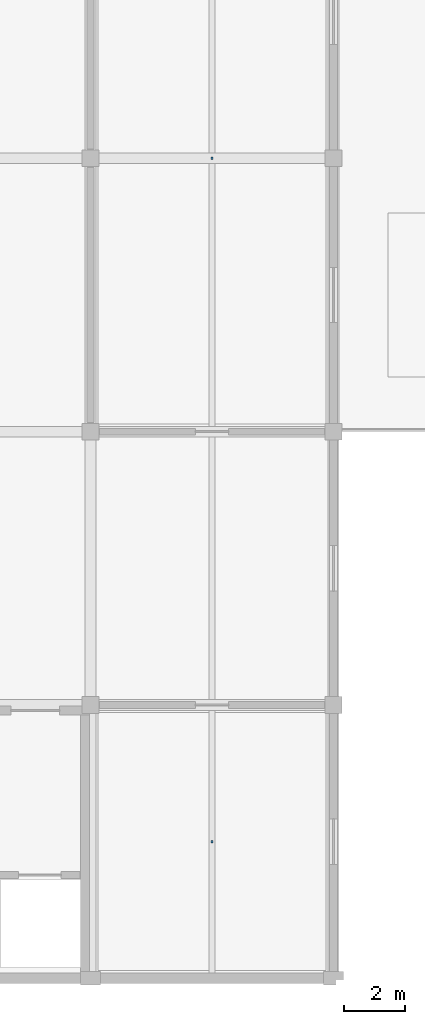
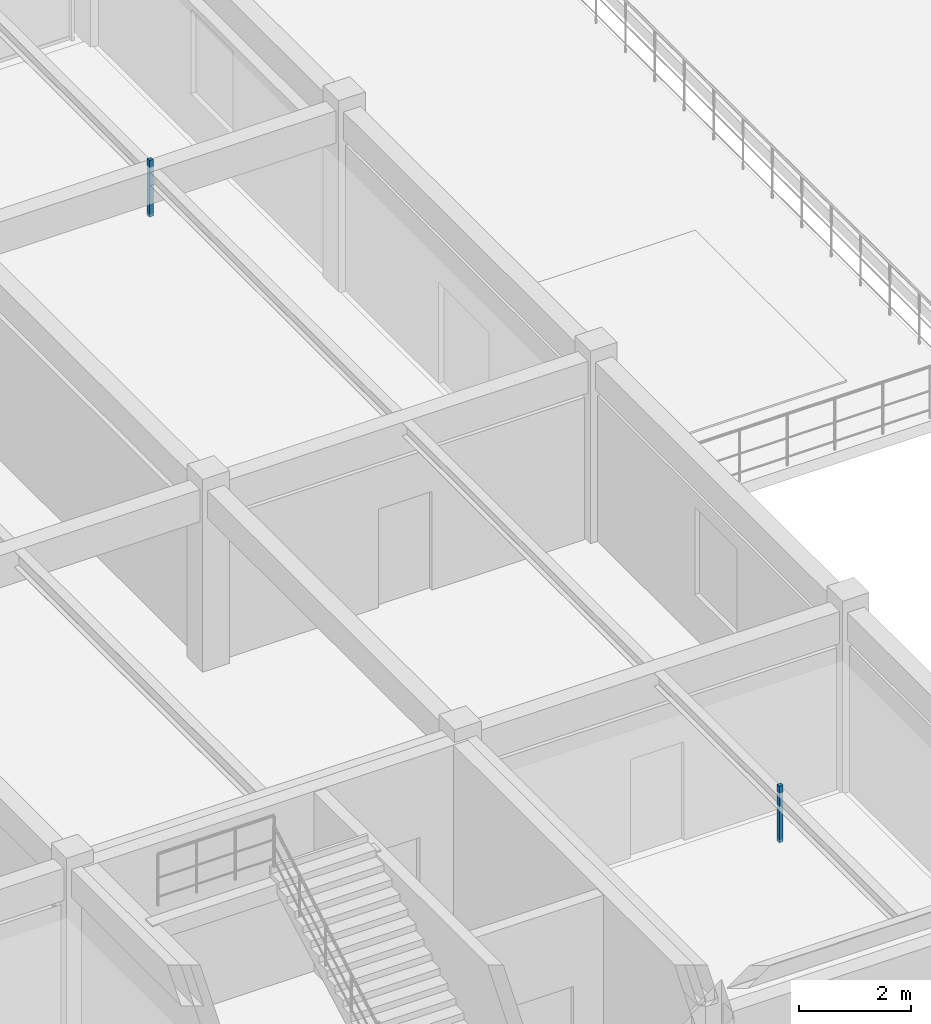
# One storey, part 58 of 63: 2 discrete accessories.
"""IFC4 building model written with IfcOpenShell, lengths in metres."""

from ifc_helpers import new_model, si_unit, direction, frame, origin, origin_2d, place, context, subcontext, project, spatial, rectangle, extrude, material, layer, layer_set, type_object, element, save


model = new_model("IFC4")

# Units and contexts
model_context = context("Model", 3, precision=1e-05, world=origin(), true_north=direction((0.0, 1.0)))
body_context = subcontext(model_context, "Body", "Model", "MODEL_VIEW")
ifc_project = project(units=[si_unit("LENGTHUNIT", "METRE"), si_unit("AREAUNIT", "SQUARE_METRE"), si_unit("VOLUMEUNIT", "CUBIC_METRE"), si_unit("PLANEANGLEUNIT", "RADIAN"), si_unit("MASSUNIT", "GRAM", prefix="KILO")], contexts=[model_context])

# Site, building, storey
site_placement = place(None, origin())
site = spatial("IfcSite", under=ifc_project, at=site_placement, CompositionType="ELEMENT")
building_placement = place(site_placement, origin())
building = spatial("IfcBuilding", under=site, at=building_placement, Name="Varnabhumi Central Station", CompositionType="ELEMENT")
storey_placement = place(building_placement, frame((0.0, 0.0, 20.39990234375)))
storey = spatial("IfcBuildingStorey", under=building, at=storey_placement, Name="L04", CompositionType="ELEMENT", Elevation=20.39990234375)

# Discrete accessories
ifc_material = material(Name="Structural steel E350", Category="steel")
ifc_layer = layer(ifc_material, 0.159912109375, Name="Structural steel E350", Category="steel")
ifc_layer_set = layer_set([ifc_layer], Name="Structural steel E350")
discrete_accessory_type = type_object("IfcDiscreteAccessoryType", Name="ACC-SHADE-BRKT", PredefinedType="BRACKET", material=ifc_layer_set)
for number, where, z_axis, x_axis, name in (
    (1, (156.0, 27.0, 2.840087890625), (0.0, 0.0, 1.0), (1.0, 0.0, 0.0), "Fibre Telecom and Data Logger Room Ceiling Hanger"),
    (2, (156.0, 4.5, 2.840087890625), (0.0, 0.0, 1.0), (1.0, 0.0, 0.0), "Signalling Calibration Workshop Ceiling Hanger"),
):
    element("IfcDiscreteAccessory", number, at=place(storey_placement, frame(where, z_axis=z_axis, x_axis=x_axis)), inside=storey, type_object=discrete_accessory_type, Name=name, PredefinedType="BRACKET", context=body_context, shape_type="SweptSolid", body=[
        extrude(rectangle(XDim=0.080078125, YDim=0.080078125, at=origin_2d()), origin(), (0.0, 0.0, 1.0), 1.22998046875),
    ])

save(model, "model.ifc")
